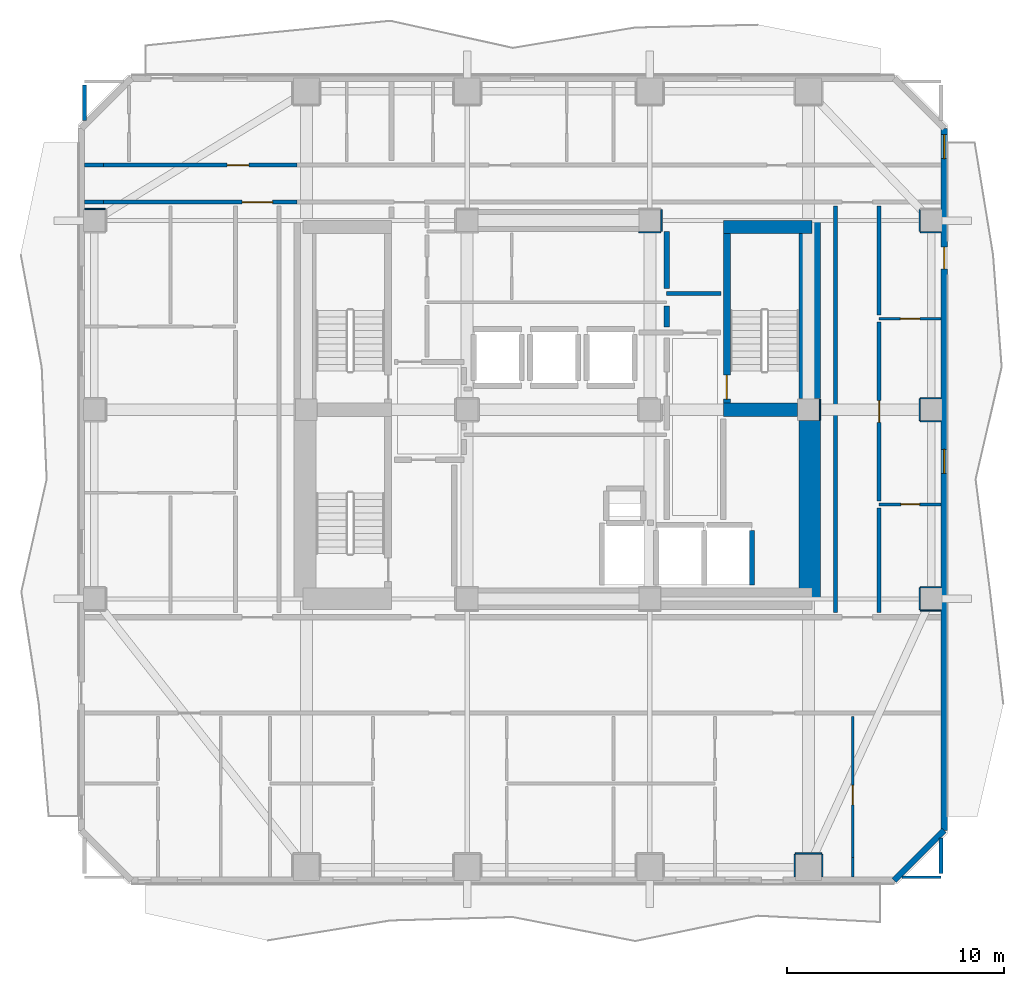
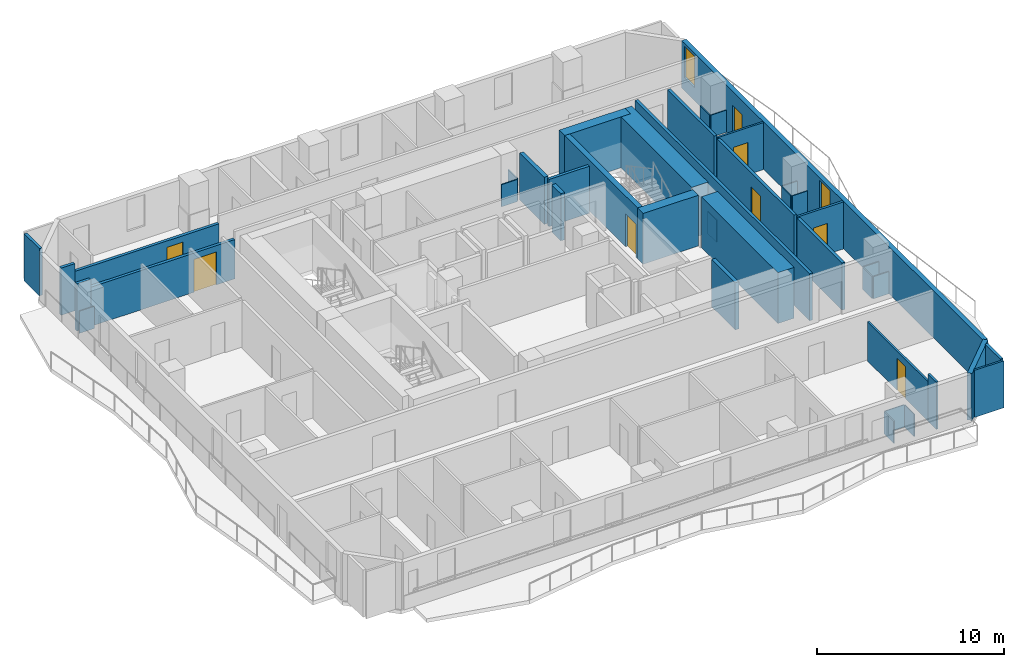
# One storey, part 5 of 11: 41 walls, 8 doors, 2 windows, 10 openings.
"""IFC4 building model written with IfcOpenShell, lengths in metres."""

from ifc_helpers import new_model, si_unit, direction, frame, frame_2d, origin, place, context, subcontext, project, spatial, rectangle, extrude, material, layer, layer_set, type_object, element, fill, save


model = new_model("IFC4")

# Units and contexts
model_context = context("Model", 3, precision=1e-05, world=origin(), true_north=direction((0.0, 1.0)))
body_context = subcontext(model_context, "Body", "Model", "MODEL_VIEW")
ifc_project = project(units=[si_unit("LENGTHUNIT", "METRE"), si_unit("AREAUNIT", "SQUARE_METRE"), si_unit("VOLUMEUNIT", "CUBIC_METRE"), si_unit("PLANEANGLEUNIT", "RADIAN"), si_unit("MASSUNIT", "GRAM", prefix="KILO")], contexts=[model_context])

# Site, building, storey
site_placement = place(None, origin())
site = spatial("IfcSite", under=ifc_project, at=site_placement, CompositionType="ELEMENT")
building_placement = place(site_placement, origin())
building = spatial("IfcBuilding", under=site, at=building_placement, Name="Solanera Arch Residences", CompositionType="ELEMENT")
storey_placement = place(building_placement, frame((0.0, 0.0, 116.0400390625)))
storey = spatial("IfcBuildingStorey", under=building, at=storey_placement, Name="L33", CompositionType="ELEMENT", Elevation=116.0400390625)

# Walls
ifc_material_1 = material(Name="Fire-Rated Gypsum Stud Partition", Category="gypsum")
ifc_layer_1 = layer(ifc_material_1, 0.06005859375)
ifc_layer_set_1 = layer_set([ifc_layer_1], Name="Fire-Rated Gypsum Stud Partition")
wall_type_1 = type_object("IfcWallType", Name="Column Acoustic Furring Wall 60", PredefinedType="PARTITIONING", material=ifc_layer_set_1)
for number, where, z_axis, x_axis, name in (
    (1, (28.699951171875, 38.867919921875, 0.0), (0.0, 0.0, 1.0), (1.0, 0.0, 0.0), "L33 Column Furring 4S"),
    (2, (29.73193359375, 38.89990234375, 0.0), (0.0, 0.0, 1.0), (0.0, 1.0, 0.0), "L33 Column Furring 4E"),
):
    element("IfcWall", number, at=place(storey_placement, frame(where, z_axis=z_axis, x_axis=x_axis)), inside=storey, type_object=wall_type_1, Name=name, PredefinedType="PARTITIONING", context=body_context, shape_type="SweptSolid", body=[
        extrude(rectangle(XDim=1.0, YDim=0.06005859375, at=frame_2d((0.5, 0.0))), origin(), (0.0, 0.0, 1.0), 1.449951171875),
    ])
wall_1_placement = place(storey_placement, frame((37.031982421875, 30.2099609375, 0.0), z_axis=(0.0, 0.0, 1.0), x_axis=(0.0, 1.0, 0.0)))
element("IfcWall", 3, at=wall_1_placement, inside=storey, type_object=wall_type_1, Name="L33 Column Furring 6E", PredefinedType="PARTITIONING", context=body_context, shape_type="SweptSolid", body=[
    extrude(rectangle(XDim=0.97998046875, YDim=0.06005859375, at=frame_2d((0.489990234375, 0.0))), origin(), (0.0, 0.0, 1.0), 1.449951171875),
])
wall_2_placement = place(storey_placement, frame((35.89990234375, 10.281982421875, 0.0), z_axis=(0.0, 0.0, 1.0), x_axis=(1.0, 0.0, 0.0)))
element("IfcWall", 4, at=wall_2_placement, inside=storey, type_object=wall_type_1, Name="L33 Column Furring 15N", PredefinedType="PARTITIONING", context=body_context, shape_type="SweptSolid", body=[
    extrude(rectangle(XDim=1.2001953125, YDim=0.06005859375, at=frame_2d((0.60009765625, 0.0))), origin(), (0.0, 0.0, 1.0), 1.449951171875),
])
for number, where, z_axis, x_axis, name in (
    (5, (35.867919921875, 9.2099609375, 0.0), (0.0, 0.0, 1.0), (0.0, 1.0, 0.0), "L33 Column Furring 15W"),
    (6, (37.132080078125, 9.2099609375, 0.0), (0.0, 0.0, 1.0), (0.0, 1.0, 0.0), "L33 Column Furring 15E"),
):
    element("IfcWall", number, at=place(storey_placement, frame(where, z_axis=z_axis, x_axis=x_axis)), inside=storey, type_object=wall_type_1, Name=name, PredefinedType="PARTITIONING", context=body_context, shape_type="SweptSolid", body=[
        extrude(rectangle(XDim=1.0400390625, YDim=0.06005859375, at=frame_2d((0.52001953125, 0.0))), origin(), (0.0, 0.0, 1.0), 1.449951171875),
    ])
for number, where, z_axis, x_axis, name in (
    (7, (41.64990234375, 21.468017578125, 0.0), (0.0, 0.0, 1.0), (1.0, 0.0, 0.0), "L33 Column Furring 18S"),
    (8, (41.64990234375, 22.531982421875, 0.0), (0.0, 0.0, 1.0), (1.0, 0.0, 0.0), "L33 Column Furring 18N"),
):
    element("IfcWall", number, at=place(storey_placement, frame(where, z_axis=z_axis, x_axis=x_axis)), inside=storey, type_object=wall_type_1, Name=name, PredefinedType="PARTITIONING", context=body_context, shape_type="SweptSolid", body=[
        extrude(rectangle(XDim=0.940185546875, YDim=0.06005859375, at=frame_2d((0.47021484375, 0.0))), origin(), (0.0, 0.0, 1.0), 1.449951171875),
    ])
wall_3_placement = place(storey_placement, frame((41.617919921875, 21.5, 0.0), z_axis=(0.0, 0.0, 1.0), x_axis=(0.0, 1.0, 0.0)))
element("IfcWall", 9, at=wall_3_placement, inside=storey, type_object=wall_type_1, Name="L33 Column Furring 18W", PredefinedType="PARTITIONING", context=body_context, shape_type="SweptSolid", body=[
    extrude(rectangle(XDim=1.0, YDim=0.06005859375, at=frame_2d((0.5, 0.0))), origin(), (0.0, 0.0, 1.0), 1.449951171875),
])
for number, where, z_axis, x_axis, name in (
    (10, (41.64990234375, 30.16796875, 0.0), (0.0, 0.0, 1.0), (1.0, 0.0, 0.0), "L33 Column Furring 20S"),
    (11, (41.64990234375, 31.23193359375, 0.0), (0.0, 0.0, 1.0), (1.0, 0.0, 0.0), "L33 Column Furring 20N"),
):
    element("IfcWall", number, at=place(storey_placement, frame(where, z_axis=z_axis, x_axis=x_axis)), inside=storey, type_object=wall_type_1, Name=name, PredefinedType="PARTITIONING", context=body_context, shape_type="SweptSolid", body=[
        extrude(rectangle(XDim=0.940185546875, YDim=0.06005859375, at=frame_2d((0.47021484375, 0.0))), origin(), (0.0, 0.0, 1.0), 1.449951171875),
    ])
wall_4_placement = place(storey_placement, frame((41.617919921875, 30.199951171875, 0.0), z_axis=(0.0, 0.0, 1.0), x_axis=(0.0, 1.0, 0.0)))
element("IfcWall", 12, at=wall_4_placement, inside=storey, type_object=wall_type_1, Name="L33 Column Furring 20W", PredefinedType="PARTITIONING", context=body_context, shape_type="SweptSolid", body=[
    extrude(rectangle(XDim=1.0, YDim=0.06005859375, at=frame_2d((0.5, 0.0))), origin(), (0.0, 0.0, 1.0), 1.449951171875),
])
wall_5_placement = place(storey_placement, frame((3.2099609375, 39.931884765625, 0.0), z_axis=(0.0, 0.0, 1.0), x_axis=(1.0, 0.0, 0.0)))
element("IfcWall", 13, at=wall_5_placement, inside=storey, type_object=wall_type_1, Name="L33 Column Furring 21N", PredefinedType="PARTITIONING", context=body_context, shape_type="SweptSolid", body=[
    extrude(rectangle(XDim=0.93994140625, YDim=0.06005859375, at=frame_2d((0.469970703125, 0.0))), origin(), (0.0, 0.0, 1.0), 1.449951171875),
])
wall_6_placement = place(storey_placement, frame((41.64990234375, 38.867919921875, 0.0), z_axis=(0.0, 0.0, 1.0), x_axis=(1.0, 0.0, 0.0)))
element("IfcWall", 14, at=wall_6_placement, inside=storey, type_object=wall_type_1, Name="L33 Column Furring 22S", PredefinedType="PARTITIONING", context=body_context, shape_type="SweptSolid", body=[
    extrude(rectangle(XDim=0.940185546875, YDim=0.06005859375, at=frame_2d((0.47021484375, 0.0))), origin(), (0.0, 0.0, 1.0), 1.449951171875),
])
wall_7_placement = place(storey_placement, frame((41.617919921875, 38.89990234375, 0.0), z_axis=(0.0, 0.0, 1.0), x_axis=(0.0, 1.0, 0.0)))
element("IfcWall", 15, at=wall_7_placement, inside=storey, type_object=wall_type_1, Name="L33 Column Furring 22W", PredefinedType="PARTITIONING", context=body_context, shape_type="SweptSolid", body=[
    extrude(rectangle(XDim=1.0, YDim=0.06005859375, at=frame_2d((0.5, 0.0))), origin(), (0.0, 0.0, 1.0), 1.449951171875),
])
ifc_material_2 = material(Name="Concrete C55/67 (f'c = 60 MPa)", Category="concrete")
ifc_layer_2 = layer(ifc_material_2, 1.0)
ifc_layer_set_2 = layer_set([ifc_layer_2], Name="Concrete C55/67 (f'c = 60 MPa)")
wall_type_2 = type_object("IfcWallType", Name="Core Shear Wall CW-1000", PredefinedType="SHEAR", material=ifc_layer_set_2)
wall_8_placement = place(storey_placement, frame((36.56005859375, 22.0, 0.0), z_axis=(0.0, 0.0, 1.0), x_axis=(0.0, 1.0, 0.0)))
element("IfcWall", 16, at=wall_8_placement, inside=storey, type_object=wall_type_2, Name="L33 East Core South Shear Wall", PredefinedType="SHEAR", context=body_context, shape_type="SweptSolid", body=[
    extrude(rectangle(XDim=8.195068359375, YDim=1.0, at=frame_2d((4.09765625, 0.0))), origin(), (0.0, 0.0, 1.0), 3.320068359375),
])
wall_9_placement = place(storey_placement, frame((36.56005859375, 31.205078125, 0.0), z_axis=(0.0, 0.0, 1.0), x_axis=(0.0, 1.0, 0.0)))
element("IfcWall", 17, at=wall_9_placement, inside=storey, type_object=wall_type_2, Name="L33 East Core North Shear Wall", PredefinedType="SHEAR", context=body_context, shape_type="SweptSolid", body=[
    extrude(rectangle(XDim=8.19482421875, YDim=1.0, at=frame_2d((4.097412109375, 0.0))), origin(), (0.0, 0.0, 1.0), 3.320068359375),
])

# Wall, opening, door
ifc_material_3 = material(Name="Concrete C40/50 (f'c = 45 MPa)", Category="concrete")
ifc_layer_3 = layer(ifc_material_3, 0.320068359375)
ifc_layer_set_3 = layer_set([ifc_layer_3], Name="Concrete C40/50 (f'c = 45 MPa)")
wall_type_3 = type_object("IfcWallType", Name="Core Shear Wall CW-320", PredefinedType="SHEAR", material=ifc_layer_set_3)
wall_10_placement = place(storey_placement, frame((32.739990234375, 31.0, 0.0), z_axis=(0.0, 0.0, 1.0), x_axis=(0.0, 1.0, 0.0)))
wall_10 = element("IfcWall", 18, at=wall_10_placement, inside=storey, type_object=wall_type_3, Name="L33 Stair ST-T2 West Shear Wall", PredefinedType="SHEAR", context=body_context, shape_type="SweptSolid", body=[
    extrude(rectangle(XDim=7.800048828125, YDim=0.320068359375, at=frame_2d((3.89990234375, 0.0))), origin(), (0.0, 0.0, 1.0), 3.320068359375),
])
opening_1_placement = place(wall_10_placement, frame((0.18994140625, 0.0, 0.0)))
opening_1 = element("IfcOpeningElement", 19, at=opening_1_placement, cuts=wall_10, Name="Opening DF-01", PredefinedType="OPENING", context=body_context, shape_type="SweptSolid", body=[
    extrude(rectangle(XDim=1.10009765625, YDim=2.14990234375, at=frame_2d((0.550048828125, 1.074951171875))), frame((0.0, 0.169921875, 0.0), z_axis=(0.0, -1.0, 0.0), x_axis=(1.0, 0.0, 0.0)), (0.0, 0.0, 1.0), 0.3401),
])
ifc_material_4 = material(Name="Fire-Rated Architectural Hardwood", Category="wood")
door_type_1 = type_object("IfcDoorType", Name="Stair Exit Fire Door DF-01", OperationType="NOTDEFINED", PredefinedType="DOOR", material=ifc_material_4)
door_1_placement = place(opening_1_placement, origin())
door_1 = element("IfcDoor", 20, at=door_1_placement, inside=storey, type_object=door_type_1, Name="DR-L33-STAIR-ST-T2", OperationType="SINGLE_SWING_RIGHT", OverallHeight=2.14990234375, OverallWidth=1.10009765625, PredefinedType="DOOR", context=body_context, shape_type="SweptSolid", body=[
    extrude(rectangle(XDim=1.10009765625, YDim=2.14990234375, at=frame_2d((0.550048828125, 1.074951171875))), frame((0.0, 0.02490234375, 0.0), z_axis=(0.0, -1.0, 0.0), x_axis=(1.0, 0.0, 0.0)), (0.0, 0.0, 1.0), 0.050048828125),
])
fill(opening_1, door_1)

# Walls
ifc_material_5 = material(Name="Concrete C40/50 (f'c = 45 MPa)", Category="concrete")
ifc_layer_4 = layer(ifc_material_5, 0.60009765625)
ifc_layer_set_4 = layer_set([ifc_layer_4], Name="Concrete C40/50 (f'c = 45 MPa)")
wall_type_4 = type_object("IfcWallType", Name="Core Shear Wall CW-600", PredefinedType="SHEAR", material=ifc_layer_set_4)
wall_11_placement = place(storey_placement, frame((32.580078125, 39.10009765625, 0.0), z_axis=(0.0, 0.0, 1.0), x_axis=(1.0, 0.0, 0.0)))
element("IfcWall", 21, at=wall_11_placement, inside=storey, type_object=wall_type_4, Name="L33 North-East Core Shear Wall", PredefinedType="SHEAR", context=body_context, shape_type="SweptSolid", body=[
    extrude(rectangle(XDim=4.079833984375, YDim=0.60009765625, at=frame_2d((2.0400390625, 0.0))), origin(), (0.0, 0.0, 1.0), 3.320068359375),
])
wall_12_placement = place(storey_placement, frame((32.580078125, 30.699951171875, 0.0), z_axis=(0.0, 0.0, 1.0), x_axis=(1.0, 0.0, 0.0)))
element("IfcWall", 22, at=wall_12_placement, inside=storey, type_object=wall_type_4, Name="L33 East Stair Far-Landing Shear Wall", PredefinedType="SHEAR", context=body_context, shape_type="SweptSolid", body=[
    extrude(rectangle(XDim=3.4150390625, YDim=0.60009765625, at=frame_2d((1.70751953125, 0.0))), origin(), (0.0, 0.0, 1.0), 3.320068359375),
])
ifc_material_6 = material(Name="Autoclaved Aerated Concrete Blockwork", Category="masonry")
ifc_layer_5 = layer(ifc_material_6, 0.179931640625)
ifc_layer_set_5 = layer_set([ifc_layer_5], Name="Autoclaved Aerated Concrete Blockwork")
wall_type_5 = type_object("IfcWallType", Name="Corridor Fire Partition 180", PredefinedType="PARTITIONING", material=ifc_layer_set_5)
wall_13_placement = place(storey_placement, frame((29.97509765625, 36.050048828125, 0.0), z_axis=(0.0, 0.0, 1.0), x_axis=(1.0, 0.0, 0.0)))
element("IfcWall", 23, at=wall_13_placement, inside=storey, type_object=wall_type_5, Name="L33 Interior Partition H9", PredefinedType="PARTITIONING", context=body_context, shape_type="SweptSolid", body=[
    extrude(rectangle(XDim=2.5048828125, YDim=0.179931640625, at=frame_2d((1.25244140625, 0.0))), origin(), (0.0, 0.0, 1.0), 3.080078125),
])
wall_14_placement = place(storey_placement, frame((3.20703125, 40.25, 0.0), z_axis=(0.0, 0.0, 1.0), x_axis=(1.0, 0.0, 0.0)))
element("IfcWall", 24, at=wall_14_placement, inside=storey, type_object=wall_type_5, Name="L33 Interior Partition H10 1", PredefinedType="PARTITIONING", context=body_context, shape_type="SweptSolid", body=[
    extrude(rectangle(XDim=0.864013671875, YDim=0.179931640625, at=frame_2d((0.43212890625, 0.0))), origin(), (0.0, 0.0, 1.0), 3.080078125),
])

# Wall, opening, door
wall_15_placement = place(storey_placement, frame((4.071044921875, 40.25, 0.0), z_axis=(0.0, 0.0, 1.0), x_axis=(1.0, 0.0, 0.0)))
wall_15 = element("IfcWall", 25, at=wall_15_placement, inside=storey, type_object=wall_type_5, Name="L33 Interior Partition H10 2", PredefinedType="PARTITIONING", context=body_context, shape_type="SweptSolid", body=[
    extrude(rectangle(XDim=8.907958984375, YDim=0.179931640625, at=frame_2d((4.4541015625, 0.0))), origin(), (0.0, 0.0, 1.0), 2.56494140625),
])
opening_2_placement = place(wall_15_placement, frame((6.37890625, 0.0, 0.0)))
opening_2 = element("IfcOpeningElement", 26, at=opening_2_placement, cuts=wall_15, Name="Opening DF-03", PredefinedType="OPENING", context=body_context, shape_type="SweptSolid", body=[
    extrude(rectangle(XDim=1.39990234375, YDim=2.14990234375, at=frame_2d((0.699951171875, 1.074951171875))), frame((0.0, 0.10009765625, 0.0), z_axis=(0.0, -1.0, 0.0), x_axis=(1.0, 0.0, 0.0)), (0.0, 0.0, 1.0), 0.1999),
])
ifc_material_7 = material(Name="Fire-Rated Architectural Hardwood", Category="wood")
door_type_2 = type_object("IfcDoorType", Name="Corridor Smoke Door DF-03", OperationType="NOTDEFINED", PredefinedType="DOOR", material=ifc_material_7)
door_2_placement = place(opening_2_placement, origin())
door_2 = element("IfcDoor", 27, at=door_2_placement, inside=storey, type_object=door_type_2, Name="DR-L33-IN-012", OperationType="SINGLE_SWING_RIGHT", OverallHeight=2.14990234375, OverallWidth=1.39990234375, PredefinedType="DOOR", context=body_context, shape_type="SweptSolid", body=[
    extrude(rectangle(XDim=1.39990234375, YDim=2.14990234375, at=frame_2d((0.699951171875, 1.074951171875))), frame((0.0, 0.02490234375, 0.0), z_axis=(0.0, -1.0, 0.0), x_axis=(1.0, 0.0, 0.0)), (0.0, 0.0, 1.0), 0.050048828125),
])
fill(opening_2, door_2)

# Wall
wall_16_placement = place(storey_placement, frame((3.20703125, 41.949951171875, 0.0), z_axis=(0.0, 0.0, 1.0), x_axis=(1.0, 0.0, 0.0)))
element("IfcWall", 28, at=wall_16_placement, inside=storey, type_object=wall_type_5, Name="L33 Interior Partition H11 1", PredefinedType="PARTITIONING", context=body_context, shape_type="SweptSolid", body=[
    extrude(rectangle(XDim=0.864013671875, YDim=0.179931640625, at=frame_2d((0.43212890625, 0.0))), origin(), (0.0, 0.0, 1.0), 3.080078125),
])

# Wall, opening, door
wall_17_placement = place(storey_placement, frame((4.071044921875, 41.949951171875, 0.0), z_axis=(0.0, 0.0, 1.0), x_axis=(1.0, 0.0, 0.0)))
wall_17 = element("IfcWall", 29, at=wall_17_placement, inside=storey, type_object=wall_type_5, Name="L33 Interior Partition H11 2", PredefinedType="PARTITIONING", context=body_context, shape_type="SweptSolid", body=[
    extrude(rectangle(XDim=8.907958984375, YDim=0.179931640625, at=frame_2d((4.4541015625, 0.0))), origin(), (0.0, 0.0, 1.0), 2.56494140625),
])
opening_3_placement = place(wall_17_placement, frame((5.68408203125, 0.0, 0.0)))
opening_3 = element("IfcOpeningElement", 30, at=opening_3_placement, cuts=wall_17, Name="Opening DI-01", PredefinedType="OPENING", context=body_context, shape_type="SweptSolid", body=[
    extrude(rectangle(XDim=1.0, YDim=2.14990234375, at=frame_2d((0.5, 1.074951171875))), frame((0.0, 0.10009765625, 0.0), z_axis=(0.0, -1.0, 0.0), x_axis=(1.0, 0.0, 0.0)), (0.0, 0.0, 1.0), 0.1999),
])
ifc_material_8 = material(Name="Fire-Rated Architectural Hardwood", Category="wood")
door_type_3 = type_object("IfcDoorType", Name="Unit Entrance Fire Door DI-01", OperationType="NOTDEFINED", PredefinedType="DOOR", material=ifc_material_8)
door_3_placement = place(opening_3_placement, origin())
door_3 = element("IfcDoor", 31, at=door_3_placement, inside=storey, type_object=door_type_3, Name="DR-L33-IN-029", OperationType="SINGLE_SWING_LEFT", OverallHeight=2.14990234375, OverallWidth=1.0, PredefinedType="DOOR", context=body_context, shape_type="SweptSolid", body=[
    extrude(rectangle(XDim=1.0, YDim=2.14990234375, at=frame_2d((0.5, 1.074951171875))), frame((0.0, 0.02490234375, 0.0), z_axis=(0.0, -1.0, 0.0), x_axis=(1.0, 0.0, 0.0)), (0.0, 0.0, 1.0), 0.050048828125),
])
fill(opening_3, door_3)

# Walls
wall_18_placement = place(storey_placement, frame((3.199951171875, 44.0048828125, 0.0), z_axis=(0.0, 0.0, 1.0), x_axis=(0.0, 1.0, 0.0)))
element("IfcWall", 32, at=wall_18_placement, inside=storey, type_object=wall_type_5, Name="L33 Interior Partition V7 2", PredefinedType="PARTITIONING", context=body_context, shape_type="SweptSolid", body=[
    extrude(rectangle(XDim=1.627197265625, YDim=0.179931640625, at=frame_2d((0.8134765625, 0.0))), origin(), (0.0, 0.0, 1.0), 3.080078125),
])
wall_19_placement = place(storey_placement, frame((37.75, 21.367919921875, 0.0), z_axis=(0.0, 0.0, 1.0), x_axis=(0.0, 1.0, 0.0)))
element("IfcWall", 33, at=wall_19_placement, inside=storey, type_object=wall_type_5, Name="L33 Interior Partition V12", PredefinedType="PARTITIONING", context=body_context, shape_type="SweptSolid", body=[
    extrude(rectangle(XDim=18.694091796875, YDim=0.179931640625, at=frame_2d((9.34716796875, 0.0))), origin(), (0.0, 0.0, 1.0), 3.080078125),
])
wall_20_placement = place(storey_placement, frame((39.75, 21.367919921875, 0.0), z_axis=(0.0, 0.0, 1.0), x_axis=(0.0, 1.0, 0.0)))
element("IfcWall", 34, at=wall_20_placement, inside=storey, type_object=wall_type_5, Name="L33 Interior Partition V13 1", PredefinedType="PARTITIONING", context=body_context, shape_type="SweptSolid", body=[
    extrude(rectangle(XDim=4.80908203125, YDim=0.179931640625, at=frame_2d((2.404541015625, 0.0))), origin(), (0.0, 0.0, 1.0), 3.080078125),
])

# Wall, opening, door
wall_21_placement = place(storey_placement, frame((39.75, 26.512939453125, 0.0), z_axis=(0.0, 0.0, 1.0), x_axis=(0.0, 1.0, 0.0)))
wall_21 = element("IfcWall", 35, at=wall_21_placement, inside=storey, type_object=wall_type_5, Name="L33 Interior Partition V13 2", PredefinedType="PARTITIONING", context=body_context, shape_type="SweptSolid", body=[
    extrude(rectangle(XDim=8.220947265625, YDim=0.179931640625, at=frame_2d((4.1103515625, 0.0))), origin(), (0.0, 0.0, 1.0), 3.080078125),
])
opening_4_placement = place(wall_21_placement, frame((3.60498046875, 0.0, 0.0)))
opening_4 = element("IfcOpeningElement", 36, at=opening_4_placement, cuts=wall_21, Name="Opening DI-01", PredefinedType="OPENING", context=body_context, shape_type="SweptSolid", body=[
    extrude(rectangle(XDim=1.0, YDim=2.14990234375, at=frame_2d((0.5, 1.074951171875))), frame((0.0, 0.10009765625, 0.0), z_axis=(0.0, -1.0, 0.0), x_axis=(1.0, 0.0, 0.0)), (0.0, 0.0, 1.0), 0.1999),
])
door_4_placement = place(opening_4_placement, origin())
door_4 = element("IfcDoor", 37, at=door_4_placement, inside=storey, type_object=door_type_3, Name="DR-L33-IN-041", OperationType="SINGLE_SWING_LEFT", OverallHeight=2.14990234375, OverallWidth=1.0, PredefinedType="DOOR", context=body_context, shape_type="SweptSolid", body=[
    extrude(rectangle(XDim=1.0, YDim=2.14990234375, at=frame_2d((0.5, 1.074951171875))), frame((0.0, 0.02490234375, 0.0), z_axis=(0.0, -1.0, 0.0), x_axis=(1.0, 0.0, 0.0)), (0.0, 0.0, 1.0), 0.050048828125),
])
fill(opening_4, door_4)

# Walls
wall_22_placement = place(storey_placement, frame((39.75, 35.050048828125, 0.0), z_axis=(0.0, 0.0, 1.0), x_axis=(0.0, 1.0, 0.0)))
element("IfcWall", 38, at=wall_22_placement, inside=storey, type_object=wall_type_5, Name="L33 Interior Partition V13 3", PredefinedType="PARTITIONING", context=body_context, shape_type="SweptSolid", body=[
    extrude(rectangle(XDim=5.011962890625, YDim=0.179931640625, at=frame_2d((2.505859375, 0.0))), origin(), (0.0, 0.0, 1.0), 3.080078125),
])
wall_23_placement = place(storey_placement, frame((42.60009765625, 9.35791015625, 0.0), z_axis=(0.0, 0.0, 1.0), x_axis=(0.0, 1.0, 0.0)))
element("IfcWall", 39, at=wall_23_placement, inside=storey, type_object=wall_type_5, Name="L33 Interior Partition V14 1", PredefinedType="PARTITIONING", context=body_context, shape_type="SweptSolid", body=[
    extrude(rectangle(XDim=1.63720703125, YDim=0.179931640625, at=frame_2d((0.818603515625, 0.0))), origin(), (0.0, 0.0, 1.0), 3.080078125),
])

# Wall, openings, door, windows
ifc_material_9 = material(Name="Precast Concrete C35/45", Category="concrete")
ifc_layer_6 = layer(ifc_material_9, 0.280029296875)
ifc_layer_set_6 = layer_set([ifc_layer_6], Name="Precast Concrete C35/45")
wall_type_6 = type_object("IfcWallType", Name="Exterior Wall Precast Masonry-Frame 280", PredefinedType="STANDARD", material=ifc_layer_set_6)
wall_24_placement = place(storey_placement, frame((42.7451171875, 43.64501953125, 0.0), z_axis=(0.0, 0.0, 1.0), x_axis=(0.0, -1.0, 0.0)))
wall_24 = element("IfcWall", 40, at=wall_24_placement, inside=storey, type_object=wall_type_6, Name="L33 Tower Exterior Precast Masonry-Frame Wall E", PredefinedType="STANDARD", context=body_context, shape_type="SweptSolid", body=[
    extrude(rectangle(XDim=32.2900390625, YDim=0.280029296875, at=frame_2d((16.14501953125, 0.0))), origin(), (0.0, 0.0, 1.0), 3.080078125),
])
opening_5_placement = place(wall_24_placement, frame((5.467041015625, 0.0, 0.0)))
opening_5 = element("IfcOpeningElement", 41, at=opening_5_placement, cuts=wall_24, Name="Opening DB-01", PredefinedType="OPENING", context=body_context, shape_type="SweptSolid", body=[
    extrude(rectangle(XDim=1.0, YDim=2.14990234375, at=frame_2d((0.5, 1.074951171875))), frame((0.0, 0.14990234375, 0.0), z_axis=(0.0, -1.0, 0.0), x_axis=(1.0, 0.0, 0.0)), (0.0, 0.0, 1.0), 0.3),
])
opening_6_placement = place(wall_24_placement, frame((0.29296875, 0.0, 0.85009765625)))
opening_6 = element("IfcOpeningElement", 42, at=opening_6_placement, cuts=wall_24, Name="Opening W-11", PredefinedType="OPENING", context=body_context, shape_type="SweptSolid", body=[
    extrude(rectangle(XDim=1.10009765625, YDim=2.050048828125, at=frame_2d((0.550048828125, 1.02490234375))), frame((0.0, 0.14990234375, 0.0), z_axis=(0.0, -1.0, 0.0), x_axis=(1.0, 0.0, 0.0)), (0.0, 0.0, 1.0), 0.3),
])
opening_7_placement = place(wall_24_placement, frame((14.77294921875, 0.0, 0.85009765625)))
opening_7 = element("IfcOpeningElement", 43, at=opening_7_placement, cuts=wall_24, Name="Opening W-11", PredefinedType="OPENING", context=body_context, shape_type="SweptSolid", body=[
    extrude(rectangle(XDim=1.10009765625, YDim=2.050048828125, at=frame_2d((0.550048828125, 1.02490234375))), frame((0.0, 0.14990234375, 0.0), z_axis=(0.0, -1.0, 0.0), x_axis=(1.0, 0.0, 0.0)), (0.0, 0.0, 1.0), 0.3),
])
ifc_material_10 = material(Name="Anodised Aluminium Alloy 6063-T6", Category="aluminium")
door_type_4 = type_object("IfcDoorType", Name="Glazed Balcony Swing Door DB-01", OperationType="NOTDEFINED", PredefinedType="DOOR", material=ifc_material_10)
door_5_placement = place(opening_5_placement, origin())
door_5 = element("IfcDoor", 44, at=door_5_placement, inside=storey, type_object=door_type_4, Name="DR-L33-OUT-03", OperationType="SINGLE_SWING_LEFT", OverallHeight=2.14990234375, OverallWidth=1.0, PredefinedType="DOOR", context=body_context, shape_type="SweptSolid", body=[
    extrude(rectangle(XDim=1.0, YDim=2.14990234375, at=frame_2d((0.5, 1.074951171875))), frame((0.0, 0.02490234375, 0.0), z_axis=(0.0, -1.0, 0.0), x_axis=(1.0, 0.0, 0.0)), (0.0, 0.0, 1.0), 0.050048828125),
])
fill(opening_5, door_5)
ifc_material_11 = material(Name="Double Glazed Low-E Laminated Glass", Category="glass")
window_type = type_object("IfcWindowType", Name="Punched Window W-11", PartitioningType="SINGLE_PANEL", PredefinedType="WINDOW", material=ifc_material_11)
window_1_placement = place(opening_6_placement, origin())
window_1 = element("IfcWindow", 45, at=window_1_placement, inside=storey, type_object=window_type, Name="L33 AMN-LOUN Punched Window", OverallHeight=2.050048828125, OverallWidth=1.10009765625, PartitioningType="SINGLE_PANEL", PredefinedType="WINDOW", context=body_context, shape_type="SweptSolid", body=[
    extrude(rectangle(XDim=1.10009765625, YDim=2.050048828125, at=frame_2d((0.550048828125, 1.02490234375))), frame((0.0, 0.030029296875, 0.0), z_axis=(0.0, -1.0, 0.0), x_axis=(1.0, 0.0, 0.0)), (0.0, 0.0, 1.0), 0.06005859375),
])
fill(opening_6, window_1)
window_2_placement = place(opening_7_placement, origin())
window_2 = element("IfcWindow", 46, at=window_2_placement, inside=storey, type_object=window_type, Name="L33 3307-LIV Punched Window", OverallHeight=2.050048828125, OverallWidth=1.10009765625, PartitioningType="SINGLE_PANEL", PredefinedType="WINDOW", context=body_context, shape_type="SweptSolid", body=[
    extrude(rectangle(XDim=1.10009765625, YDim=2.050048828125, at=frame_2d((0.550048828125, 1.02490234375))), frame((0.0, 0.030029296875, 0.0), z_axis=(0.0, -1.0, 0.0), x_axis=(1.0, 0.0, 0.0)), (0.0, 0.0, 1.0), 0.06005859375),
])
fill(opening_7, window_2)

# Walls
wall_25_placement = place(storey_placement, frame((42.7451171875, 11.35498046875, 0.0), z_axis=(0.0, 0.0, 1.0), x_axis=(-0.707106781187, -0.707106781187, 0.0)))
element("IfcWall", 47, at=wall_25_placement, inside=storey, type_object=wall_type_6, Name="L33 Tower Exterior Precast Masonry-Frame Wall CH5", PredefinedType="STANDARD", context=body_context, shape_type="SweptSolid", body=[
    extrude(rectangle(XDim=3.252685546875, YDim=0.280029296875, at=frame_2d((1.62646484375, 0.0))), origin(), (0.0, 0.0, 1.0), 3.080078125),
])
ifc_material_12 = material(Name="Autoclaved Aerated Concrete Blockwork", Category="masonry")
ifc_layer_7 = layer(ifc_material_12, 0.239990234375)
ifc_layer_set_7 = layer_set([ifc_layer_7], Name="Autoclaved Aerated Concrete Blockwork")
wall_type_7 = type_object("IfcWallType", Name="Shaft Wall Fire-Rated 240", PredefinedType="PARTITIONING", material=ifc_layer_set_7)
wall_26_placement = place(storey_placement, frame((33.89990234375, 22.6298828125, 0.0), z_axis=(0.0, 0.0, 1.0), x_axis=(0.0, 1.0, 0.0)))
element("IfcWall", 48, at=wall_26_placement, inside=storey, type_object=wall_type_7, Name="L33 Lift FFL-2 Hoistway Wall E", PredefinedType="PARTITIONING", context=body_context, shape_type="SweptSolid", body=[
    extrude(rectangle(XDim=2.522216796875, YDim=0.239990234375, at=frame_2d((1.26123046875, 0.0))), origin(), (0.0, 0.0, 1.0), 3.080078125),
])
wall_27_placement = place(storey_placement, frame((29.97509765625, 34.498046875, 0.0), z_axis=(0.0, 0.0, 1.0), x_axis=(0.0, 1.0, 0.0)))
element("IfcWall", 49, at=wall_27_placement, inside=storey, type_object=wall_type_7, Name="L33 Interior Partition V5 3", PredefinedType="PARTITIONING", context=body_context, shape_type="SweptSolid", body=[
    extrude(rectangle(XDim=0.9638671875, YDim=0.239990234375, at=frame_2d((0.48193359375, 0.0))), origin(), (0.0, 0.0, 1.0), 3.080078125),
])
wall_28_placement = place(storey_placement, frame((29.97509765625, 36.26806640625, 0.0), z_axis=(0.0, 0.0, 1.0), x_axis=(0.0, 1.0, 0.0)))
element("IfcWall", 50, at=wall_28_placement, inside=storey, type_object=wall_type_7, Name="L33 Interior Partition V5 4", PredefinedType="PARTITIONING", context=body_context, shape_type="SweptSolid", body=[
    extrude(rectangle(XDim=2.6318359375, YDim=0.239990234375, at=frame_2d((1.31591796875, 0.0))), origin(), (0.0, 0.0, 1.0), 3.080078125),
])
ifc_material_13 = material(Name="Fire-Rated Gypsum Stud Partition", Category="gypsum")
ifc_layer_8 = layer(ifc_material_13, 0.1201171875)
ifc_layer_set_8 = layer_set([ifc_layer_8], Name="Fire-Rated Gypsum Stud Partition")
wall_type_8 = type_object("IfcWallType", Name="Unit Drywall Partition 120", PredefinedType="PARTITIONING", material=ifc_layer_set_8)
wall_29_placement = place(storey_placement, frame((40.804931640625, 9.199951171875, 0.0), z_axis=(0.0, 0.0, 1.0), x_axis=(1.0, 0.0, 0.0)))
element("IfcWall", 51, at=wall_29_placement, inside=storey, type_object=wall_type_8, Name="L33 Interior Partition H18 2", PredefinedType="PARTITIONING", context=body_context, shape_type="SweptSolid", body=[
    extrude(rectangle(XDim=1.795166015625, YDim=0.1201171875, at=frame_2d((0.8974609375, 0.0))), origin(), (0.0, 0.0, 1.0), 3.080078125),
])

# Wall, opening, door
wall_30_placement = place(storey_placement, frame((39.75, 34.89208984375, 0.0), z_axis=(0.0, 0.0, 1.0), x_axis=(1.0, 0.0, 0.0)))
wall_30 = element("IfcWall", 52, at=wall_30_placement, inside=storey, type_object=wall_type_8, Name="L33 Interior Partition H20", PredefinedType="PARTITIONING", context=body_context, shape_type="SweptSolid", body=[
    extrude(rectangle(XDim=2.843017578125, YDim=0.1201171875, at=frame_2d((1.42138671875, 0.0))), origin(), (0.0, 0.0, 1.0), 3.080078125),
])
opening_8_placement = place(wall_30_placement, frame((0.97509765625, 0.0, 0.0)))
opening_8 = element("IfcOpeningElement", 53, at=opening_8_placement, cuts=wall_30, Name="Opening DI-02", PredefinedType="OPENING", context=body_context, shape_type="SweptSolid", body=[
    extrude(rectangle(XDim=0.89990234375, YDim=2.10009765625, at=frame_2d((0.449951171875, 1.050048828125))), frame((0.0, 0.070068359375, 0.0), z_axis=(0.0, -1.0, 0.0), x_axis=(1.0, 0.0, 0.0)), (0.0, 0.0, 1.0), 0.1401),
])
ifc_material_14 = material(Name="Fire-Rated Architectural Hardwood", Category="wood")
door_type_5 = type_object("IfcDoorType", Name="Suite Room Swing Door DI-02", OperationType="NOTDEFINED", PredefinedType="DOOR", material=ifc_material_14)
door_6_placement = place(opening_8_placement, origin())
door_6 = element("IfcDoor", 54, at=door_6_placement, inside=storey, type_object=door_type_5, Name="DR-L33-IN-043", OperationType="SINGLE_SWING_LEFT", OverallHeight=2.10009765625, OverallWidth=0.89990234375, PredefinedType="DOOR", context=body_context, shape_type="SweptSolid", body=[
    extrude(rectangle(XDim=0.89990234375, YDim=2.10009765625, at=frame_2d((0.449951171875, 1.050048828125))), frame((0.0, 0.02490234375, 0.0), z_axis=(0.0, -1.0, 0.0), x_axis=(1.0, 0.0, 0.0)), (0.0, 0.0, 1.0), 0.050048828125),
])
fill(opening_8, door_6)

# Wall
wall_31_placement = place(storey_placement, frame((38.528076171875, 9.20703125, 0.0), z_axis=(0.0, 0.0, 1.0), x_axis=(0.0, 1.0, 0.0)))
element("IfcWall", 55, at=wall_31_placement, inside=storey, type_object=wall_type_8, Name="L33 Interior Partition V30 1", PredefinedType="PARTITIONING", context=body_context, shape_type="SweptSolid", body=[
    extrude(rectangle(XDim=0.89404296875, YDim=0.1201171875, at=frame_2d((0.447021484375, 0.0))), origin(), (0.0, 0.0, 1.0), 3.080078125),
])

# Wall, opening, door
wall_32_placement = place(storey_placement, frame((38.528076171875, 10.10107421875, 0.0), z_axis=(0.0, 0.0, 1.0), x_axis=(0.0, 1.0, 0.0)))
wall_32 = element("IfcWall", 56, at=wall_32_placement, inside=storey, type_object=wall_type_8, Name="L33 Interior Partition V30 2", PredefinedType="PARTITIONING", context=body_context, shape_type="SweptSolid", body=[
    extrude(rectangle(XDim=6.490966796875, YDim=0.1201171875, at=frame_2d((3.24560546875, 0.0))), origin(), (0.0, 0.0, 1.0), 2.56494140625),
])
opening_9_placement = place(wall_32_placement, frame((2.424072265625, 0.0, 0.0)))
opening_9 = element("IfcOpeningElement", 57, at=opening_9_placement, cuts=wall_32, Name="Opening DI-02", PredefinedType="OPENING", context=body_context, shape_type="SweptSolid", body=[
    extrude(rectangle(XDim=0.89990234375, YDim=2.10009765625, at=frame_2d((0.449951171875, 1.050048828125))), frame((0.0, 0.070068359375, 0.0), z_axis=(0.0, -1.0, 0.0), x_axis=(1.0, 0.0, 0.0)), (0.0, 0.0, 1.0), 0.1401),
])
door_7_placement = place(opening_9_placement, origin())
door_7 = element("IfcDoor", 58, at=door_7_placement, inside=storey, type_object=door_type_5, Name="DR-L33-IN-028", OperationType="SINGLE_SWING_RIGHT", OverallHeight=2.10009765625, OverallWidth=0.89990234375, PredefinedType="DOOR", context=body_context, shape_type="SweptSolid", body=[
    extrude(rectangle(XDim=0.89990234375, YDim=2.10009765625, at=frame_2d((0.449951171875, 1.050048828125))), frame((0.0, 0.02490234375, 0.0), z_axis=(0.0, -1.0, 0.0), x_axis=(1.0, 0.0, 0.0)), (0.0, 0.0, 1.0), 0.050048828125),
])
fill(opening_9, door_7)

ifc_material_15 = material(Name="Autoclaved Aerated Concrete Blockwork", Category="masonry")
ifc_layer_9 = layer(ifc_material_15, 0.139892578125)
ifc_layer_set_9 = layer_set([ifc_layer_9], Name="Autoclaved Aerated Concrete Blockwork")
wall_type_9 = type_object("IfcWallType", Name="Wet-Room Partition 140", PredefinedType="PARTITIONING", material=ifc_layer_set_9)
wall_33_placement = place(storey_placement, frame((39.75, 26.344970703125, 0.0), z_axis=(0.0, 0.0, 1.0), x_axis=(1.0, 0.0, 0.0)))
wall_33 = element("IfcWall", 59, at=wall_33_placement, inside=storey, type_object=wall_type_9, Name="L33 Interior Partition H15", PredefinedType="PARTITIONING", context=body_context, shape_type="SweptSolid", body=[
    extrude(rectangle(XDim=2.843017578125, YDim=0.139892578125, at=frame_2d((1.42138671875, 0.0))), origin(), (0.0, 0.0, 1.0), 3.080078125),
])
opening_10_placement = place(wall_33_placement, frame((0.9951171875, 0.0, 0.0)))
opening_10 = element("IfcOpeningElement", 60, at=opening_10_placement, cuts=wall_33, Name="Opening DI-05", PredefinedType="OPENING", context=body_context, shape_type="SweptSolid", body=[
    extrude(rectangle(XDim=0.860107421875, YDim=2.02001953125, at=frame_2d((0.43017578125, 1.010009765625))), frame((0.0, 0.079833984375, 0.0), z_axis=(0.0, -1.0, 0.0), x_axis=(1.0, 0.0, 0.0)), (0.0, 0.0, 1.0), 0.1599),
])
ifc_material_16 = material(Name="Fire-Rated Architectural Hardwood", Category="wood")
door_type_6 = type_object("IfcDoorType", Name="Bathroom Swing Door DI-05", OperationType="NOTDEFINED", PredefinedType="DOOR", material=ifc_material_16)
door_8_placement = place(opening_10_placement, origin())
door_8 = element("IfcDoor", 61, at=door_8_placement, inside=storey, type_object=door_type_6, Name="DR-L33-IN-042", OperationType="SINGLE_SWING_RIGHT", OverallHeight=2.02001953125, OverallWidth=0.860107421875, PredefinedType="DOOR", context=body_context, shape_type="SweptSolid", body=[
    extrude(rectangle(XDim=0.860107421875, YDim=2.02001953125, at=frame_2d((0.43017578125, 1.010009765625))), frame((0.0, 0.02490234375, 0.0), z_axis=(0.0, -1.0, 0.0), x_axis=(1.0, 0.0, 0.0)), (0.0, 0.0, 1.0), 0.050048828125),
])
fill(opening_10, door_8)

save(model, "model.ifc")
